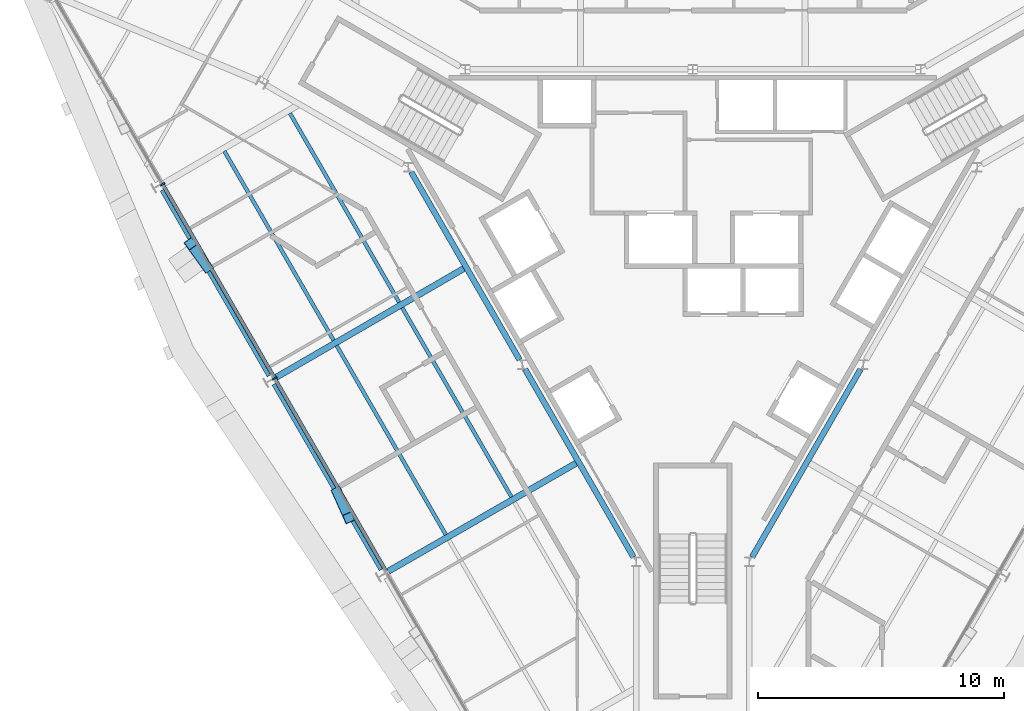
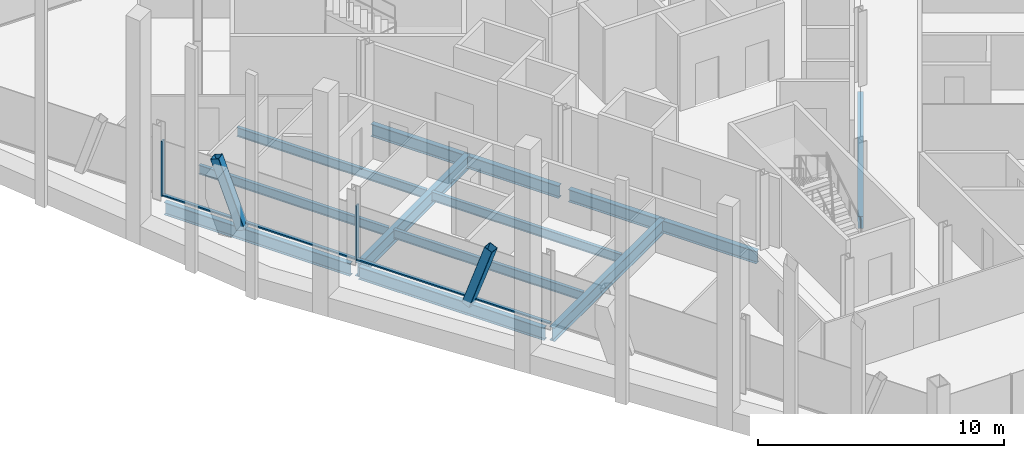
# One storey, part 4 of 16: 11 beams, 6 members, 1 element without a shape of its own.
"""IFC4 building model written with IfcOpenShell, lengths in metres."""

import ifcopenshell
import ifcopenshell.guid

model = None  # the IFC model being written
_history = None  # IfcOwnerHistory: only IFC2X3 demands one
_inside = {}  # id of a spatial element -> (the spatial element, [elements in it])
_under = {}  # id of a project, library or spatial element -> (it, [spatial elements below it])
_declared = {}  # id of a project -> (the project, [libraries it declares])
_typed = {}  # id of a type object -> (the type object, [elements of that type])
_made_of = {}  # id of a material, layer set ... -> (it, [elements and type objects made of it])


def new_model(schema):
    """Start an empty IFC model of exactly this schema.

    Asked for "IFC4X3", IfcOpenShell would pick the latest addendum, in which some entities
    have other attributes; the version numbers below select the first issue.
    IFC2X3 requires an IfcOwnerHistory on every rooted entity: one is made here for all.
    """
    global model, _history
    if schema == "IFC4X3":
        model = ifcopenshell.file(schema_version=(4, 3, 0, 0))
    else:
        model = ifcopenshell.file(schema=schema)
    _inside.clear()
    _under.clear()
    _declared.clear()
    _typed.clear()
    _made_of.clear()
    _history = None
    if model.schema == "IFC2X3":
        org = make("IfcOrganization", Name="unknown")
        user = make(
            "IfcPersonAndOrganization",
            ThePerson=make("IfcPerson", FamilyName="unknown"),
            TheOrganization=org,
        )
        app = make(
            "IfcApplication",
            ApplicationDeveloper=org,
            Version="unknown",
            ApplicationFullName="unknown",
            ApplicationIdentifier="unknown",
        )
        _history = make(
            "IfcOwnerHistory",
            OwningUser=user,
            OwningApplication=app,
            ChangeAction="ADDED",
            CreationDate=0,
        )
    return model


def make(cls, **values):
    """One entity of the class cls with the attributes given. An attribute that is None is left unset."""
    return model.create_entity(
        cls, **{name: value for name, value in values.items() if value is not None}
    )


def rooted(cls, **values):
    """An entity with a GlobalId (a new one), such as an element, a storey or a relation."""
    return make(cls, GlobalId=ifcopenshell.guid.new(), OwnerHistory=_history, **values)


def si_unit(unit_type, name, prefix=None):
    """IfcSIUnit, for example si_unit("LENGTHUNIT", "METRE", prefix="MILLI")."""
    return make("IfcSIUnit", UnitType=unit_type, Prefix=prefix, Name=name)


def assignment(units):
    """IfcUnitAssignment: the units of a project."""
    return None if units is None else make("IfcUnitAssignment", Units=units)


def point(xyz):
    """IfcCartesianPoint."""
    return None if xyz is None else make("IfcCartesianPoint", Coordinates=xyz)


def direction(xyz):
    """IfcDirection."""
    return None if xyz is None else make("IfcDirection", DirectionRatios=xyz)


def frame(location, z_axis=None, x_axis=None):
    """IfcAxis2Placement3D, a coordinate frame: its origin and axes. An axis left out is left unset."""
    return make(
        "IfcAxis2Placement3D",
        Location=point(location),
        Axis=direction(z_axis),
        RefDirection=direction(x_axis),
    )


def frame_2d(location, x_axis=None):
    """IfcAxis2Placement2D, a coordinate frame in the plane: its origin and x axis."""
    return make(
        "IfcAxis2Placement2D", Location=point(location), RefDirection=direction(x_axis)
    )


def origin():
    """The frame at (0, 0, 0) with its axes left unset."""
    return frame((0.0, 0.0, 0.0))


def origin_2d():
    """The frame at (0, 0) in the plane with its x axis left unset."""
    return frame_2d((0.0, 0.0))


def place(relative_to, where):
    """IfcLocalPlacement: puts the frame where relative to a parent placement (None: the world)."""
    return make(
        "IfcLocalPlacement", PlacementRelTo=relative_to, RelativePlacement=where
    )


def context(
    kind, dimensions, precision=None, world=None, true_north=None, identifier=None
):
    """IfcGeometricRepresentationContext, for example the 3D "Model" context."""
    return make(
        "IfcGeometricRepresentationContext",
        ContextIdentifier=identifier,
        ContextType=kind,
        CoordinateSpaceDimension=dimensions,
        Precision=precision,
        WorldCoordinateSystem=world,
        TrueNorth=true_north,
    )


def subcontext(parent, identifier, kind, view, scale=None):
    """IfcGeometricRepresentationSubContext, for example "Body" below "Model"."""
    return make(
        "IfcGeometricRepresentationSubContext",
        ContextIdentifier=identifier,
        ContextType=kind,
        ParentContext=parent,
        TargetScale=scale,
        TargetView=view,
    )


def project(units=None, contexts=None):
    """IfcProject with its units and contexts."""
    return rooted(
        "IfcProject",
        Name="project",
        RepresentationContexts=contexts,
        UnitsInContext=assignment(units),
    )


def spatial(cls, under=None, at=None, **own):
    """A site, building, storey or space (cls), placed at a placement, below another one or the project."""
    s = rooted(cls, ObjectPlacement=at, **own)
    if under is not None:
        _under.setdefault(under.id(), (under, []))[1].append(s)
    return s


def profile(cls, at=None, kind="AREA", **sizes):
    """A parametric profile (cls). Its sizes go by their IFC names, for example OverallWidth=200.0."""
    return make(cls, ProfileType=kind, Position=at, **sizes)


def rectangle(**sizes):
    """IfcRectangleProfileDef."""
    return profile("IfcRectangleProfileDef", **sizes)


def hollow_rectangle(**sizes):
    """IfcRectangleHollowProfileDef."""
    return profile("IfcRectangleHollowProfileDef", **sizes)


def i_section(**sizes):
    """IfcIShapeProfileDef."""
    return profile("IfcIShapeProfileDef", **sizes)


def extrude(swept, where, along, depth):
    """IfcExtrudedAreaSolid: the profile swept, set in the frame where, extruded along a direction by depth."""
    return make(
        "IfcExtrudedAreaSolid",
        SweptArea=swept,
        Position=where,
        ExtrudedDirection=direction(along),
        Depth=depth,
    )


def shape(context_of_items, identifier, shape_type, items):
    """IfcShapeRepresentation: the items that make up one representation, for example the "Body"."""
    return make(
        "IfcShapeRepresentation",
        ContextOfItems=context_of_items,
        RepresentationIdentifier=identifier,
        RepresentationType=shape_type,
        Items=items,
    )


def material(Name=None, Category=None):
    """IfcMaterial."""
    return make("IfcMaterial", Name=Name, Category=Category)


def material_profile(
    of_material, cross_section, Name=None, Category=None, Priority=None
):
    """IfcMaterialProfile: a cross section and its material."""
    return make(
        "IfcMaterialProfile",
        Name=Name,
        Material=of_material,
        Profile=cross_section,
        Priority=Priority,
        Category=Category,
    )


def profile_set(profiles, Name=None, composite=None):
    """IfcMaterialProfileSet."""
    return make(
        "IfcMaterialProfileSet",
        Name=Name,
        MaterialProfiles=profiles,
        CompositeProfile=composite,
    )


def made_of(thing, what):
    """Note that an element or type object is made of a material, layer set ...; save() writes the relation."""
    if what is not None:
        _made_of.setdefault(what.id(), (what, []))[1].append(thing)
    return thing


def type_object(cls, material=None, **own):
    """A type object (cls), such as IfcWallType, which elements share."""
    return made_of(rooted(cls, **own), material)


def element(
    cls,
    number,
    at=None,
    inside=None,
    cuts=None,
    type_object=None,
    material=None,
    context=None,
    identifier="Body",
    shape_type=None,
    held_by="IfcProductDefinitionShape",
    body=None,
    shapes=None,
    **own,
):
    """One element of the class cls, such as IfcWall. Its Tag is "e" and its number.

    at: its placement. inside: the storey or other place that contains it. cuts: it is an
    opening in that element (IfcRelVoidsElement). A single representation is given by context,
    identifier, shape_type and body (its items); several are given by shapes. held_by: the class
    of the entity that holds the representations. save() writes the other relations.
    """
    e = rooted(cls, Tag="e%d" % number, ObjectPlacement=at, **own)
    if body is not None:
        shapes = [shape(context, identifier, shape_type, body)]
    if shapes is not None:
        e.Representation = make(held_by, Representations=shapes)
    if inside is not None:
        _inside.setdefault(inside.id(), (inside, []))[1].append(e)
    if cuts is not None:
        rooted(
            "IfcRelVoidsElement", RelatingBuildingElement=cuts, RelatedOpeningElement=e
        )
    if type_object is not None:
        _typed.setdefault(type_object.id(), (type_object, []))[1].append(e)
    return made_of(e, material)


def aggregate(whole, parts):
    """IfcRelAggregates: a whole, such as a stair, and the parts it consists of."""
    return rooted("IfcRelAggregates", RelatingObject=whole, RelatedObjects=parts)


def save(model, path):
    """Write the relations noted so far, then the file.

    IfcRelAggregates (storeys below a building ...), IfcRelContainedInSpatialStructure (elements
    in a storey), IfcRelDefinesByType, IfcRelAssociatesMaterial and IfcRelDeclares: one each for
    every whole, place, type object, material and project.
    """
    for whole, parts in _under.values():
        aggregate(whole, parts)
    for where, things in _inside.values():
        rooted(
            "IfcRelContainedInSpatialStructure",
            RelatedElements=things,
            RelatingStructure=where,
        )
    for kind, things in _typed.values():
        rooted("IfcRelDefinesByType", RelatedObjects=things, RelatingType=kind)
    for what, things in _made_of.values():
        rooted("IfcRelAssociatesMaterial", RelatedObjects=things, RelatingMaterial=what)
    for by, libraries in _declared.values():
        rooted("IfcRelDeclares", RelatingContext=by, RelatedDefinitions=libraries)
    model.write(path)


model = new_model("IFC4")

# Units and contexts
model_context = context("Model", 3, precision=1e-05, world=origin(), true_north=direction((0.0, 1.0)))
body_context = subcontext(model_context, "Body", "Model", "MODEL_VIEW")
ifc_project = project(units=[si_unit("LENGTHUNIT", "METRE"), si_unit("AREAUNIT", "SQUARE_METRE"), si_unit("VOLUMEUNIT", "CUBIC_METRE"), si_unit("PLANEANGLEUNIT", "RADIAN"), si_unit("MASSUNIT", "GRAM", prefix="KILO")], contexts=[model_context])

# Site, building, storey
site_placement = place(None, origin())
site = spatial("IfcSite", under=ifc_project, at=site_placement, CompositionType="ELEMENT")
building_placement = place(site_placement, origin())
building = spatial("IfcBuilding", under=site, at=building_placement, Name="Verrane Prism Tower", CompositionType="ELEMENT")
storey_placement = place(building_placement, frame((0.0, 0.0, 247.10009765625)))
storey = spatial("IfcBuildingStorey", under=building, at=storey_placement, Name="L62", CompositionType="ELEMENT", Elevation=247.10009765625)

# Beams
ifc_material_1 = material(Name="Steel A992", Category="steel")
ifc_material_profile_1 = material_profile(ifc_material_1, i_section(OverallWidth=0.23046875, OverallDepth=0.6171875, WebThickness=0.01318359375, FlangeThickness=0.022216796875, FilletRadius=0.012939453125, at=origin_2d()), Name="W24x94")
ifc_profile_set_1 = profile_set([ifc_material_profile_1], Name="Steel A992")
beam_type_1 = type_object("IfcBeamType", Name="Core ring girder W24x94", PredefinedType="BEAM", material=ifc_profile_set_1)
beam_1_placement = place(storey_placement, frame((-11.448486328125, 3.826904296875, -0.55859375), z_axis=(0.499967007444, -0.866044451208, 0.0), x_axis=(0.866044451208, 0.499967007444, 0.0)))
element("IfcBeam", 1, at=beam_1_placement, inside=storey, type_object=beam_type_1, Name="Core ring girder L62", PredefinedType="BEAM", context=body_context, shape_type="SweptSolid", body=[
    extrude(i_section(OverallWidth=0.23046875, OverallDepth=0.6171875, WebThickness=0.01318359375, FlangeThickness=0.022216796875, FilletRadius=0.012939453125, at=origin_2d()), origin(), (0.0, 0.0, 1.0), 8.814453125),
])
for number, where, z_axis, x_axis, name in (
    (2, (-6.818603515625, -4.193115234375, -0.55859375), (0.499987781028, -0.866032458297, 0.0), (0.866032458297, 0.499987781028, 0.0), "Core ring girder L62"),
    (3, (2.411376953125, -11.826904296875, -0.55859375), (0.499987781028, 0.866032458297, 0.0), (-0.866032458297, 0.499987781028, 0.0), "Core ring girder L62"),
):
    element("IfcBeam", number, at=place(storey_placement, frame(where, z_axis=z_axis, x_axis=x_axis)), inside=storey, type_object=beam_type_1, Name=name, PredefinedType="BEAM", context=body_context, shape_type="SweptSolid", body=[
        extrude(i_section(OverallWidth=0.23046875, OverallDepth=0.6171875, WebThickness=0.01318359375, FlangeThickness=0.022216796875, FilletRadius=0.012939453125, at=origin_2d()), origin(), (0.0, 0.0, 1.0), 8.814697265625),
    ])

# Members
ifc_material_2 = material(Name="Steel A500 Grade C", Category="steel")
ifc_material_profile_2 = material_profile(ifc_material_2, hollow_rectangle(XDim=0.406494140625, YDim=0.406494140625, WallThickness=0.01904296875, InnerFilletRadius=0.009521484375, OuterFilletRadius=0.028564453125, at=origin_2d()), Name="HSS16x16x3/4")
ifc_profile_set_2 = profile_set([ifc_material_profile_2], Name="Steel A500 Grade C")
member_type_1 = type_object("IfcMemberType", Name="Facade brace HSS16x16x3/4", PredefinedType="BRACE", material=ifc_profile_set_2)
member_1_placement = place(storey_placement, frame((-19.747314453125, -0.028564453125, -0.216796875), z_axis=(-0.198444922866, 0.276515726759, 0.940297115514), x_axis=(-0.812433944789, -0.583053244013, 0.0)))
element("IfcMember", 4, at=member_1_placement, inside=storey, type_object=member_type_1, Name="Facade brace SW1 L62", PredefinedType="BRACE", context=body_context, shape_type="SweptSolid", body=[
    extrude(hollow_rectangle(XDim=0.406494140625, YDim=0.406494140625, WallThickness=0.01904296875, InnerFilletRadius=0.009521484375, OuterFilletRadius=0.028564453125, at=origin_2d()), origin(), (0.0, 0.0, 1.0), 3.399169921875),
])
member_2_placement = place(storey_placement, frame((-14.45458984375, -9.19775390625, -0.216796875), z_axis=(0.13691049232, -0.305205303594, 0.94239335723), x_axis=(0.912404043142, 0.409290681617, 0.0)))
element("IfcMember", 5, at=member_2_placement, inside=storey, type_object=member_type_1, Name="Facade brace SW2 L62", PredefinedType="BRACE", context=body_context, shape_type="SweptSolid", body=[
    extrude(hollow_rectangle(XDim=0.406494140625, YDim=0.406494140625, WallThickness=0.01904296875, InnerFilletRadius=0.009521484375, OuterFilletRadius=0.028564453125, at=origin_2d()), origin(), (0.0, 0.0, 1.0), 3.3916015625),
])

# Beams
ifc_material_3 = material(Name="Steel A992", Category="steel")
ifc_material_profile_3 = material_profile(ifc_material_3, i_section(OverallWidth=0.15234375, OverallDepth=0.449462890625, WebThickness=0.007568359375, FlangeThickness=0.0107421875, FilletRadius=0.01025390625, at=origin_2d()), Name="W18x35")
ifc_profile_set_3 = profile_set([ifc_material_profile_3], Name="Steel A992")
beam_type_2 = type_object("IfcBeamType", Name="Floor beam W18x35", PredefinedType="BEAM", material=ifc_profile_set_3)
beam_2_placement = place(storey_placement, frame((-11.940185546875, -1.469970703125, -0.385009765625), z_axis=(-0.500000279077, 0.866025242659, 0.0), x_axis=(-0.866025242659, -0.500000279077, 0.0)))
element("IfcBeam", 6, at=beam_2_placement, inside=storey, type_object=beam_type_2, Name="Floor beam L62", PredefinedType="BEAM", context=body_context, shape_type="SweptSolid", body=[
    extrude(i_section(OverallWidth=0.15234375, OverallDepth=0.449462890625, WebThickness=0.007568359375, FlangeThickness=0.0107421875, FilletRadius=0.01025390625, at=origin_2d()), origin(), (0.0, 0.0, 1.0), 8.87451171875),
])
beam_3_placement = place(storey_placement, frame((-14.606689453125, -3.010009765625, -0.385009765625), z_axis=(-0.500005807019, 0.866022051074, 0.0), x_axis=(-0.866022051074, -0.500005807019, 0.0)))
element("IfcBeam", 7, at=beam_3_placement, inside=storey, type_object=beam_type_2, Name="Floor beam L62", PredefinedType="BEAM", context=body_context, shape_type="SweptSolid", body=[
    extrude(i_section(OverallWidth=0.15234375, OverallDepth=0.449462890625, WebThickness=0.007568359375, FlangeThickness=0.0107421875, FilletRadius=0.01025390625, at=origin_2d()), origin(), (0.0, 0.0, 1.0), 8.87548828125),
])
beam_4_placement = place(storey_placement, frame((-7.371337890625, -9.383544921875, -0.385009765625), z_axis=(-0.499999195485, 0.866025868271, 0.0), x_axis=(-0.866025868271, -0.499999195485, 0.0)))
element("IfcBeam", 8, at=beam_4_placement, inside=storey, type_object=beam_type_2, Name="Floor beam L62", PredefinedType="BEAM", context=body_context, shape_type="SweptSolid", body=[
    extrude(i_section(OverallWidth=0.15234375, OverallDepth=0.449462890625, WebThickness=0.007568359375, FlangeThickness=0.0107421875, FilletRadius=0.01025390625, at=origin_2d()), origin(), (0.0, 0.0, 1.0), 8.8837890625),
])
beam_5_placement = place(storey_placement, frame((-10.03857421875, -10.92236328125, -0.385009765625), z_axis=(-0.499996860793, 0.866027216199, 0.0), x_axis=(-0.866027216199, -0.499996860793, 0.0)))
element("IfcBeam", 9, at=beam_5_placement, inside=storey, type_object=beam_type_2, Name="Floor beam L62", PredefinedType="BEAM", context=body_context, shape_type="SweptSolid", body=[
    extrude(i_section(OverallWidth=0.15234375, OverallDepth=0.449462890625, WebThickness=0.007568359375, FlangeThickness=0.0107421875, FilletRadius=0.01025390625, at=origin_2d()), origin(), (0.0, 0.0, 1.0), 8.88232421875),
])

# Curtain wall, members
ifc_material_4 = material(Name="Aluminium framed insulated glazing", Category="aluminium")
curtain_wall_type = type_object("IfcCurtainWallType", Name="Curtain wall CW-A 8400 module", PredefinedType="NOTDEFINED", material=ifc_material_4)
curtain_wall_placement = place(storey_placement, origin())
curtain_wall = element("IfcCurtainWall", 10, at=curtain_wall_placement, inside=storey, type_object=curtain_wall_type, Name="Glazed curtain wall south-west face L62", PredefinedType="NOTDEFINED")
ifc_material_5 = material(Name="Aluminium alloy 6063-T6", Category="aluminium")
ifc_material_profile_4 = material_profile(ifc_material_5, rectangle(XDim=0.199951171875, YDim=0.070068359375, at=origin_2d()), Name="Mullion 70x200 aluminium")
ifc_profile_set_4 = profile_set([ifc_material_profile_4], Name="Aluminium alloy 6063-T6")
member_type_2 = type_object("IfcMemberType", Name="Mullion 70x200 aluminium", PredefinedType="MULLION", material=ifc_profile_set_4)
member_3_placement = place(storey_placement, frame((-21.55322265625, 3.32763671875, 0.0), z_axis=(0.0, 0.0, 1.0), x_axis=(0.866025525748, 0.499999788753, 0.0)))
member_3 = element("IfcMember", 11, at=member_3_placement, type_object=member_type_2, Name="CW62.4 mullion 2", PredefinedType="MULLION", context=body_context, shape_type="SweptSolid", body=[
    extrude(rectangle(XDim=0.199951171875, YDim=0.070068359375, at=origin_2d()), origin(), (0.0, 0.0, 1.0), 2.712890625),
])
member_4_placement = place(storey_placement, frame((-17.000244140625, -4.55810546875, 0.0), z_axis=(0.0, 0.0, 1.0), x_axis=(0.866025525748, 0.499999788753, 0.0)))
member_4 = element("IfcMember", 12, at=member_4_placement, type_object=member_type_2, Name="CW62.4 mullion 3", PredefinedType="MULLION", context=body_context, shape_type="SweptSolid", body=[
    extrude(rectangle(XDim=0.199951171875, YDim=0.070068359375, at=origin_2d()), origin(), (0.0, 0.0, 1.0), 2.712890625),
])

# Beams
ifc_material_6 = material(Name="Steel A992", Category="steel")
ifc_material_profile_5 = material_profile(ifc_material_6, i_section(OverallWidth=0.25390625, OverallDepth=0.683349609375, WebThickness=0.012451171875, FlangeThickness=0.01904296875, FilletRadius=0.01513671875, at=origin_2d()), Name="W27x94")
ifc_profile_set_5 = profile_set([ifc_material_profile_5], Name="Steel A992")
beam_type_3 = type_object("IfcBeamType", Name="Radial girder W27x94", PredefinedType="BEAM", material=ifc_profile_set_5)
beam_6_placement = place(storey_placement, frame((-16.935791015625, -4.51708984375, -0.561767578125), z_axis=(0.865283272742, 0.501283211283, 0.0), x_axis=(-0.501283211283, 0.865283272742, 0.0)))
element("IfcBeam", 13, at=beam_6_placement, inside=storey, type_object=beam_type_3, Name="Radial girder L62", PredefinedType="BEAM", context=body_context, shape_type="SweptSolid", body=[
    extrude(i_section(OverallWidth=0.25390625, OverallDepth=0.683349609375, WebThickness=0.012451171875, FlangeThickness=0.01904296875, FilletRadius=0.01513671875, at=origin_2d()), origin(), (0.0, 0.0, 1.0), 8.923828125),
])
beam_7_placement = place(storey_placement, frame((-12.378662109375, -12.404541015625, -0.561767578125), z_axis=(0.866731812072, 0.498774464004, 0.0), x_axis=(-0.498774464004, 0.866731812072, 0.0)))
element("IfcBeam", 14, at=beam_7_placement, inside=storey, type_object=beam_type_3, Name="Radial girder L62", PredefinedType="BEAM", context=body_context, shape_type="SweptSolid", body=[
    extrude(i_section(OverallWidth=0.25390625, OverallDepth=0.683349609375, WebThickness=0.012451171875, FlangeThickness=0.01904296875, FilletRadius=0.01513671875, at=origin_2d()), origin(), (0.0, 0.0, 1.0), 8.9208984375),
])
ifc_material_7 = material(Name="Steel A992", Category="steel")
ifc_material_profile_6 = material_profile(ifc_material_7, i_section(OverallWidth=0.23046875, OverallDepth=0.6171875, WebThickness=0.01318359375, FlangeThickness=0.022216796875, FilletRadius=0.012939453125, at=origin_2d()), Name="W24x94")
ifc_profile_set_6 = profile_set([ifc_material_profile_6], Name="Steel A992")
beam_type_4 = type_object("IfcBeamType", Name="Spandrel beam W24x94", PredefinedType="SPANDREL", material=ifc_profile_set_6)
beam_8_placement = place(storey_placement, frame((-21.5517578125, 3.100341796875, -0.46875), z_axis=(0.499592968998, -0.866260275742, 0.0), x_axis=(0.866260275742, 0.499592968998, 0.0)))
element("IfcBeam", 15, at=beam_8_placement, inside=storey, type_object=beam_type_4, Name="Spandrel beam L62", PredefinedType="SPANDREL", context=body_context, shape_type="SweptSolid", body=[
    extrude(i_section(OverallWidth=0.23046875, OverallDepth=0.6171875, WebThickness=0.01318359375, FlangeThickness=0.022216796875, FilletRadius=0.012939453125, at=origin_2d()), origin(), (0.0, 0.0, 1.0), 8.705810546875),
])
beam_9_placement = place(storey_placement, frame((-17.003173828125, -4.78662109375, -0.46875), z_axis=(0.50028693786, -0.865859676742, 0.0), x_axis=(0.865859676742, 0.50028693786, 0.0)))
element("IfcBeam", 16, at=beam_9_placement, inside=storey, type_object=beam_type_4, Name="Spandrel beam L62", PredefinedType="SPANDREL", context=body_context, shape_type="SweptSolid", body=[
    extrude(i_section(OverallWidth=0.23046875, OverallDepth=0.6171875, WebThickness=0.01318359375, FlangeThickness=0.022216796875, FilletRadius=0.012939453125, at=origin_2d()), origin(), (0.0, 0.0, 1.0), 8.7099609375),
])

# Member
ifc_material_8 = material(Name="Aluminium alloy 6063-T6", Category="aluminium")
ifc_material_profile_7 = material_profile(ifc_material_8, rectangle(XDim=0.14990234375, YDim=0.070068359375, at=origin_2d()), Name="Transom 70x150 aluminium")
ifc_profile_set_7 = profile_set([ifc_material_profile_7], Name="Aluminium alloy 6063-T6")
member_type_3 = type_object("IfcMemberType", Name="Transom 70x150 aluminium", PredefinedType="USERDEFINED", material=ifc_profile_set_7)
member_5_placement = place(storey_placement, frame((-21.53564453125, 3.29736328125, 0.034912109375), z_axis=(0.499995322353, -0.866028104408, 0.0), x_axis=(0.866028104408, 0.499995322353, 0.0)))
member_5 = element("IfcMember", 17, at=member_5_placement, type_object=member_type_3, Name="CW62.4 transom 2", ObjectType="TRANSOM", PredefinedType="USERDEFINED", context=body_context, shape_type="SweptSolid", body=[
    extrude(rectangle(XDim=0.14990234375, YDim=0.070068359375, at=origin_2d()), origin(), (0.0, 0.0, 1.0), 9.03564453125),
])

member_6_placement = place(storey_placement, frame((-16.98291015625, -4.58837890625, 0.034912109375), z_axis=(0.500007022283, -0.866021349429, 0.0), x_axis=(0.866021349429, 0.500007022283, 0.0)))
member_6 = element("IfcMember", 18, at=member_6_placement, type_object=member_type_3, Name="CW62.4 transom 3", ObjectType="TRANSOM", PredefinedType="USERDEFINED", context=body_context, shape_type="SweptSolid", body=[
    extrude(rectangle(XDim=0.14990234375, YDim=0.070068359375, at=origin_2d()), origin(), (0.0, 0.0, 1.0), 9.035400390625),
])

aggregate(curtain_wall, [member_3, member_4, member_5, member_6])

save(model, "model.ifc")
